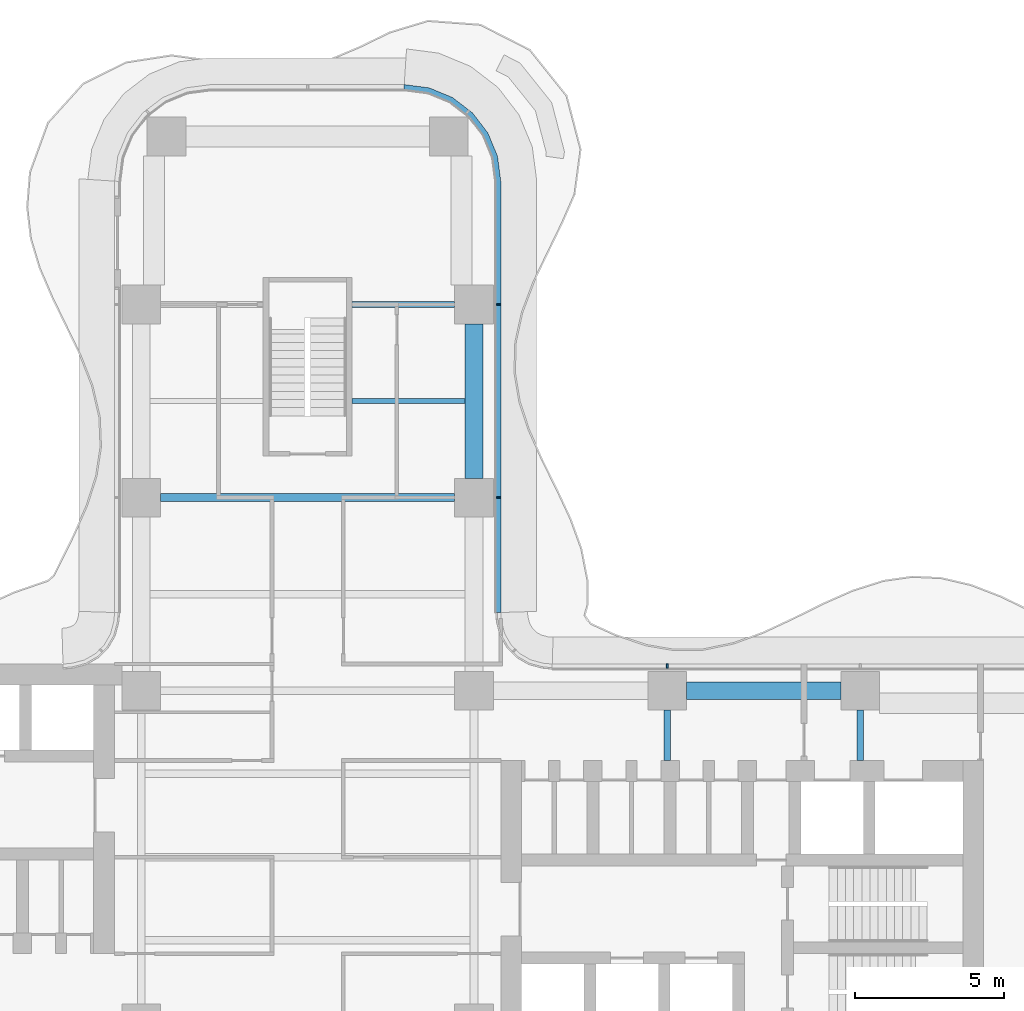
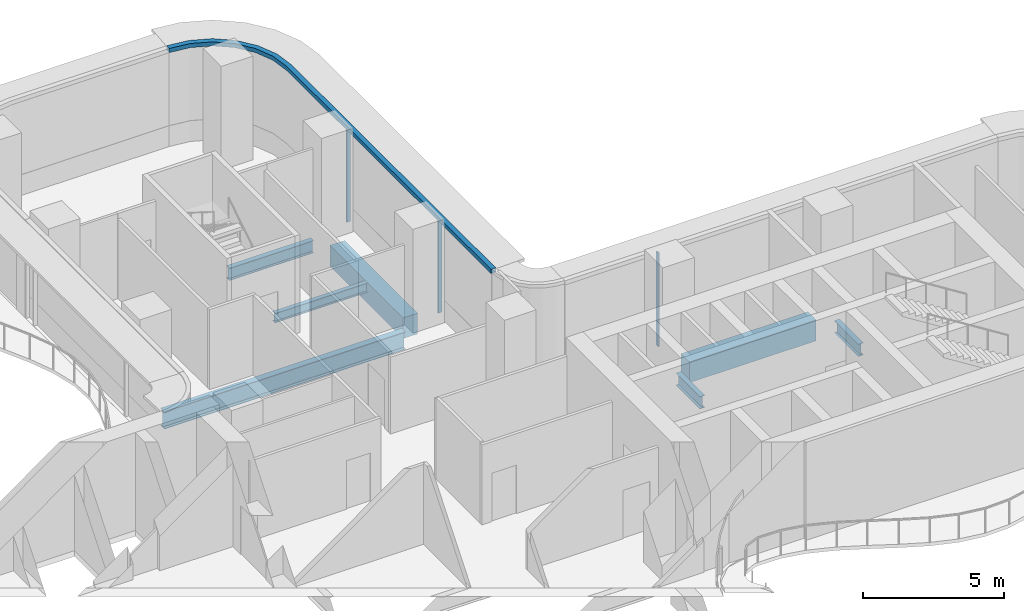
# One storey, part 10 of 23: 7 beams, 4 members, 2 elements without a shape of their own.
"""IFC4 building model written with IfcOpenShell, lengths in metres."""

import ifcopenshell
import ifcopenshell.guid

model = None  # the IFC model being written
_history = None  # IfcOwnerHistory: only IFC2X3 demands one
_inside = {}  # id of a spatial element -> (the spatial element, [elements in it])
_under = {}  # id of a project, library or spatial element -> (it, [spatial elements below it])
_declared = {}  # id of a project -> (the project, [libraries it declares])
_typed = {}  # id of a type object -> (the type object, [elements of that type])
_made_of = {}  # id of a material, layer set ... -> (it, [elements and type objects made of it])


def new_model(schema):
    """Start an empty IFC model of exactly this schema.

    Asked for "IFC4X3", IfcOpenShell would pick the latest addendum, in which some entities
    have other attributes; the version numbers below select the first issue.
    IFC2X3 requires an IfcOwnerHistory on every rooted entity: one is made here for all.
    """
    global model, _history
    if schema == "IFC4X3":
        model = ifcopenshell.file(schema_version=(4, 3, 0, 0))
    else:
        model = ifcopenshell.file(schema=schema)
    _inside.clear()
    _under.clear()
    _declared.clear()
    _typed.clear()
    _made_of.clear()
    _history = None
    if model.schema == "IFC2X3":
        org = make("IfcOrganization", Name="unknown")
        user = make(
            "IfcPersonAndOrganization",
            ThePerson=make("IfcPerson", FamilyName="unknown"),
            TheOrganization=org,
        )
        app = make(
            "IfcApplication",
            ApplicationDeveloper=org,
            Version="unknown",
            ApplicationFullName="unknown",
            ApplicationIdentifier="unknown",
        )
        _history = make(
            "IfcOwnerHistory",
            OwningUser=user,
            OwningApplication=app,
            ChangeAction="ADDED",
            CreationDate=0,
        )
    return model


def make(cls, **values):
    """One entity of the class cls with the attributes given. An attribute that is None is left unset."""
    return model.create_entity(
        cls, **{name: value for name, value in values.items() if value is not None}
    )


def rooted(cls, **values):
    """An entity with a GlobalId (a new one), such as an element, a storey or a relation."""
    return make(cls, GlobalId=ifcopenshell.guid.new(), OwnerHistory=_history, **values)


def si_unit(unit_type, name, prefix=None):
    """IfcSIUnit, for example si_unit("LENGTHUNIT", "METRE", prefix="MILLI")."""
    return make("IfcSIUnit", UnitType=unit_type, Prefix=prefix, Name=name)


def assignment(units):
    """IfcUnitAssignment: the units of a project."""
    return None if units is None else make("IfcUnitAssignment", Units=units)


def point(xyz):
    """IfcCartesianPoint."""
    return None if xyz is None else make("IfcCartesianPoint", Coordinates=xyz)


def direction(xyz):
    """IfcDirection."""
    return None if xyz is None else make("IfcDirection", DirectionRatios=xyz)


def frame(location, z_axis=None, x_axis=None):
    """IfcAxis2Placement3D, a coordinate frame: its origin and axes. An axis left out is left unset."""
    return make(
        "IfcAxis2Placement3D",
        Location=point(location),
        Axis=direction(z_axis),
        RefDirection=direction(x_axis),
    )


def frame_2d(location, x_axis=None):
    """IfcAxis2Placement2D, a coordinate frame in the plane: its origin and x axis."""
    return make(
        "IfcAxis2Placement2D", Location=point(location), RefDirection=direction(x_axis)
    )


def origin():
    """The frame at (0, 0, 0) with its axes left unset."""
    return frame((0.0, 0.0, 0.0))


def origin_2d():
    """The frame at (0, 0) in the plane with its x axis left unset."""
    return frame_2d((0.0, 0.0))


def place(relative_to, where):
    """IfcLocalPlacement: puts the frame where relative to a parent placement (None: the world)."""
    return make(
        "IfcLocalPlacement", PlacementRelTo=relative_to, RelativePlacement=where
    )


def context(
    kind, dimensions, precision=None, world=None, true_north=None, identifier=None
):
    """IfcGeometricRepresentationContext, for example the 3D "Model" context."""
    return make(
        "IfcGeometricRepresentationContext",
        ContextIdentifier=identifier,
        ContextType=kind,
        CoordinateSpaceDimension=dimensions,
        Precision=precision,
        WorldCoordinateSystem=world,
        TrueNorth=true_north,
    )


def subcontext(parent, identifier, kind, view, scale=None):
    """IfcGeometricRepresentationSubContext, for example "Body" below "Model"."""
    return make(
        "IfcGeometricRepresentationSubContext",
        ContextIdentifier=identifier,
        ContextType=kind,
        ParentContext=parent,
        TargetScale=scale,
        TargetView=view,
    )


def project(units=None, contexts=None):
    """IfcProject with its units and contexts."""
    return rooted(
        "IfcProject",
        Name="project",
        RepresentationContexts=contexts,
        UnitsInContext=assignment(units),
    )


def spatial(cls, under=None, at=None, **own):
    """A site, building, storey or space (cls), placed at a placement, below another one or the project."""
    s = rooted(cls, ObjectPlacement=at, **own)
    if under is not None:
        _under.setdefault(under.id(), (under, []))[1].append(s)
    return s


def polyline(points):
    """IfcPolyline through the points."""
    return make("IfcPolyline", Points=[point(p) for p in points])


def profile(cls, at=None, kind="AREA", **sizes):
    """A parametric profile (cls). Its sizes go by their IFC names, for example OverallWidth=200.0."""
    return make(cls, ProfileType=kind, Position=at, **sizes)


def rectangle(**sizes):
    """IfcRectangleProfileDef."""
    return profile("IfcRectangleProfileDef", **sizes)


def i_section(**sizes):
    """IfcIShapeProfileDef."""
    return profile("IfcIShapeProfileDef", **sizes)


def outline(outer, holes=None, kind="AREA"):
    """IfcArbitraryClosedProfileDef: a profile drawn as a closed curve; with holes, ...WithVoids."""
    if holes is None:
        return make("IfcArbitraryClosedProfileDef", ProfileType=kind, OuterCurve=outer)
    return make(
        "IfcArbitraryProfileDefWithVoids",
        ProfileType=kind,
        OuterCurve=outer,
        InnerCurves=holes,
    )


def extrude(swept, where, along, depth):
    """IfcExtrudedAreaSolid: the profile swept, set in the frame where, extruded along a direction by depth."""
    return make(
        "IfcExtrudedAreaSolid",
        SweptArea=swept,
        Position=where,
        ExtrudedDirection=direction(along),
        Depth=depth,
    )


def shape(context_of_items, identifier, shape_type, items):
    """IfcShapeRepresentation: the items that make up one representation, for example the "Body"."""
    return make(
        "IfcShapeRepresentation",
        ContextOfItems=context_of_items,
        RepresentationIdentifier=identifier,
        RepresentationType=shape_type,
        Items=items,
    )


def source(mapping_origin, context_of_items, identifier, shape_type, items):
    """IfcRepresentationMap: a shape defined once, which mapped items show again and again."""
    return make(
        "IfcRepresentationMap",
        MappingOrigin=mapping_origin,
        MappedRepresentation=shape(context_of_items, identifier, shape_type, items),
    )


def transform(
    local_origin,
    x_axis=None,
    y_axis=None,
    z_axis=None,
    scale=None,
    scale2=None,
    scale3=None,
    uniform=True,
):
    """IfcCartesianTransformationOperator3D, or its non-uniform kind. x_axis, y_axis, z_axis: its Axis1, 2, 3."""
    if uniform:
        return make(
            "IfcCartesianTransformationOperator3D",
            Axis1=direction(x_axis),
            Axis2=direction(y_axis),
            LocalOrigin=point(local_origin),
            Scale=scale,
            Axis3=direction(z_axis),
        )
    return make(
        "IfcCartesianTransformationOperator3DnonUniform",
        Axis1=direction(x_axis),
        Axis2=direction(y_axis),
        LocalOrigin=point(local_origin),
        Scale=scale,
        Axis3=direction(z_axis),
        Scale2=scale2,
        Scale3=scale3,
    )


def mapped(mapping_source, mapping_target):
    """IfcMappedItem: shows the shape of a source again, moved by a transform."""
    return make(
        "IfcMappedItem", MappingSource=mapping_source, MappingTarget=mapping_target
    )


def material(Name=None, Category=None):
    """IfcMaterial."""
    return make("IfcMaterial", Name=Name, Category=Category)


def layer(
    of_material, thickness, ventilated=None, Name=None, Category=None, Priority=None
):
    """IfcMaterialLayer: one layer of a wall or slab, of a material (None: an air gap)."""
    return make(
        "IfcMaterialLayer",
        Material=of_material,
        LayerThickness=thickness,
        IsVentilated=ventilated,
        Name=Name,
        Category=Category,
        Priority=Priority,
    )


def layer_set(layers, Name=None):
    """IfcMaterialLayerSet."""
    return make("IfcMaterialLayerSet", MaterialLayers=layers, LayerSetName=Name)


def material_profile(
    of_material, cross_section, Name=None, Category=None, Priority=None
):
    """IfcMaterialProfile: a cross section and its material."""
    return make(
        "IfcMaterialProfile",
        Name=Name,
        Material=of_material,
        Profile=cross_section,
        Priority=Priority,
        Category=Category,
    )


def profile_set(profiles, Name=None, composite=None):
    """IfcMaterialProfileSet."""
    return make(
        "IfcMaterialProfileSet",
        Name=Name,
        MaterialProfiles=profiles,
        CompositeProfile=composite,
    )


def made_of(thing, what):
    """Note that an element or type object is made of a material, layer set ...; save() writes the relation."""
    if what is not None:
        _made_of.setdefault(what.id(), (what, []))[1].append(thing)
    return thing


def type_object(cls, material=None, **own):
    """A type object (cls), such as IfcWallType, which elements share."""
    return made_of(rooted(cls, **own), material)


def element(
    cls,
    number,
    at=None,
    inside=None,
    cuts=None,
    type_object=None,
    material=None,
    context=None,
    identifier="Body",
    shape_type=None,
    held_by="IfcProductDefinitionShape",
    body=None,
    shapes=None,
    **own,
):
    """One element of the class cls, such as IfcWall. Its Tag is "e" and its number.

    at: its placement. inside: the storey or other place that contains it. cuts: it is an
    opening in that element (IfcRelVoidsElement). A single representation is given by context,
    identifier, shape_type and body (its items); several are given by shapes. held_by: the class
    of the entity that holds the representations. save() writes the other relations.
    """
    e = rooted(cls, Tag="e%d" % number, ObjectPlacement=at, **own)
    if body is not None:
        shapes = [shape(context, identifier, shape_type, body)]
    if shapes is not None:
        e.Representation = make(held_by, Representations=shapes)
    if inside is not None:
        _inside.setdefault(inside.id(), (inside, []))[1].append(e)
    if cuts is not None:
        rooted(
            "IfcRelVoidsElement", RelatingBuildingElement=cuts, RelatedOpeningElement=e
        )
    if type_object is not None:
        _typed.setdefault(type_object.id(), (type_object, []))[1].append(e)
    return made_of(e, material)


def aggregate(whole, parts):
    """IfcRelAggregates: a whole, such as a stair, and the parts it consists of."""
    return rooted("IfcRelAggregates", RelatingObject=whole, RelatedObjects=parts)


def save(model, path):
    """Write the relations noted so far, then the file.

    IfcRelAggregates (storeys below a building ...), IfcRelContainedInSpatialStructure (elements
    in a storey), IfcRelDefinesByType, IfcRelAssociatesMaterial and IfcRelDeclares: one each for
    every whole, place, type object, material and project.
    """
    for whole, parts in _under.values():
        aggregate(whole, parts)
    for where, things in _inside.values():
        rooted(
            "IfcRelContainedInSpatialStructure",
            RelatedElements=things,
            RelatingStructure=where,
        )
    for kind, things in _typed.values():
        rooted("IfcRelDefinesByType", RelatedObjects=things, RelatingType=kind)
    for what, things in _made_of.values():
        rooted("IfcRelAssociatesMaterial", RelatedObjects=things, RelatingMaterial=what)
    for by, libraries in _declared.values():
        rooted("IfcRelDeclares", RelatingContext=by, RelatedDefinitions=libraries)
    model.write(path)


model = new_model("IFC4")

# Units and contexts
model_context = context("Model", 3, precision=1e-05, world=origin(), true_north=direction((0.0, 1.0)))
body_context = subcontext(model_context, "Body", "Model", "MODEL_VIEW")
ifc_project = project(units=[si_unit("LENGTHUNIT", "METRE"), si_unit("AREAUNIT", "SQUARE_METRE"), si_unit("VOLUMEUNIT", "CUBIC_METRE"), si_unit("PLANEANGLEUNIT", "RADIAN"), si_unit("MASSUNIT", "GRAM", prefix="KILO")], contexts=[model_context])

# Site, building, storey
site_placement = place(None, origin())
site = spatial("IfcSite", under=ifc_project, at=site_placement, CompositionType="ELEMENT")
building_placement = place(site_placement, origin())
building = spatial("IfcBuilding", under=site, at=building_placement, Name="Trellis Farm Tower", CompositionType="ELEMENT")
storey_placement = place(building_placement, frame((0.0, 0.0, 120.0)))
storey = spatial("IfcBuildingStorey", under=building, at=storey_placement, Name="L25", CompositionType="ELEMENT", Elevation=120.0)

# Beams
ifc_material_1 = material(Name="Steel S355", Category="steel")
ifc_material_profile_1 = material_profile(ifc_material_1, i_section(OverallWidth=0.177978515625, OverallDepth=0.406494140625, WebThickness=0.0078125, FlangeThickness=0.0126953125, FilletRadius=0.01025390625, at=origin_2d()), Name="UB 406x178x60")
ifc_profile_set_1 = profile_set([ifc_material_profile_1], Name="Steel S355")
beam_type_1 = type_object("IfcBeamType", Name="UB 406x178x60 joist", PredefinedType="JOIST", material=ifc_profile_set_1)
shared_shape_1 = source(origin(), body_context, "Body", "SweptSolid", [
    extrude(i_section(OverallWidth=0.177978515625, OverallDepth=0.406494140625, WebThickness=0.0078125, FlangeThickness=0.0126953125, FilletRadius=0.01025390625, at=origin_2d()), origin(), (0.0, 0.0, 1.0), 3.800048828125),
])
beam_1_placement = place(storey_placement, frame((1.5, 15.35009765625, -0.453125), z_axis=(1.0, 0.0, 0.0), x_axis=(0.0, 1.0, 0.0)))
element("IfcBeam", 1, at=beam_1_placement, inside=storey, type_object=beam_type_1, Name="Floor beam", PredefinedType="JOIST", context=body_context, shape_type="MappedRepresentation", body=[
    mapped(shared_shape_1, transform((0.0, 0.0, 0.0))),
])
ifc_material_profile_2 = material_profile(ifc_material_1, i_section(OverallWidth=0.209228515625, OverallDepth=0.533203125, WebThickness=0.010009765625, FlangeThickness=0.015625, FilletRadius=0.0126953125, at=origin_2d()), Name="UB 533x210x92")
ifc_profile_set_2 = profile_set([ifc_material_profile_2], Name="Steel S355")
beam_type_2 = type_object("IfcBeamType", Name="UB 533x210x92", PredefinedType="BEAM", material=ifc_profile_set_2)
shared_shape_2 = source(origin(), body_context, "Body", "SweptSolid", [
    extrude(i_section(OverallWidth=0.209228515625, OverallDepth=0.533203125, WebThickness=0.010009765625, FlangeThickness=0.015625, FilletRadius=0.0126953125, at=origin_2d()), origin(), (0.0, 0.0, 1.0), 3.449951171875),
])
beam_2_placement = place(storey_placement, frame((1.5, 18.60009765625, -0.5166015625), z_axis=(1.0, 0.0, 0.0), x_axis=(0.0, 1.0, 0.0)))
element("IfcBeam", 2, at=beam_2_placement, inside=storey, type_object=beam_type_2, Name="Girder", PredefinedType="BEAM", context=body_context, shape_type="MappedRepresentation", body=[
    mapped(shared_shape_2, transform((0.0, 0.0, 0.0))),
])
ifc_material_profile_3 = material_profile(ifc_material_1, i_section(OverallWidth=0.2666015625, OverallDepth=0.76220703125, WebThickness=0.014404296875, FlangeThickness=0.021484375, FilletRadius=0.0166015625, at=origin_2d()), Name="UB 762x267x173")
ifc_profile_set_3 = profile_set([ifc_material_profile_3], Name="Steel S355")
beam_type_3 = type_object("IfcBeamType", Name="UB 762x267x173", PredefinedType="BEAM", material=ifc_profile_set_3)
shared_shape_3 = source(origin(), body_context, "Body", "SweptSolid", [
    extrude(i_section(OverallWidth=0.2666015625, OverallDepth=0.76220703125, WebThickness=0.014404296875, FlangeThickness=0.021484375, FilletRadius=0.0166015625, at=origin_2d()), origin(), (0.0, 0.0, 1.0), 9.89990234375),
])
beam_3_placement = place(storey_placement, frame((-4.949951171875, 12.10009765625, -0.631103515625), z_axis=(1.0, 0.0, 0.0), x_axis=(0.0, 1.0, 0.0)))
element("IfcBeam", 3, at=beam_3_placement, inside=storey, type_object=beam_type_3, Name="Girder", PredefinedType="BEAM", context=body_context, shape_type="MappedRepresentation", body=[
    mapped(shared_shape_3, transform((0.0, 0.0, 0.0))),
])
shared_shape_4 = source(origin(), body_context, "Body", "SweptSolid", [
    extrude(i_section(OverallWidth=0.209228515625, OverallDepth=0.533203125, WebThickness=0.010009765625, FlangeThickness=0.015625, FilletRadius=0.0126953125, at=origin_2d()), origin(), (0.0, 0.0, 1.0), 1.699951171875),
])
for number, where, z_axis, x_axis, name in (
    (4, (12.10009765625, 3.25, -0.5166015625), (0.0, 1.0, 0.0), (-1.0, 0.0, 0.0), "Girder"),
    (5, (18.60009765625, 3.25, -0.5166015625), (0.0, 1.0, 0.0), (-1.0, 0.0, 0.0), "Girder"),
):
    element("IfcBeam", number, at=place(storey_placement, frame(where, z_axis=z_axis, x_axis=x_axis)), inside=storey, type_object=beam_type_2, Name=name, PredefinedType="BEAM", context=body_context, shape_type="MappedRepresentation", body=[
        mapped(shared_shape_4, transform((0.0, 0.0, 0.0))),
    ])
ifc_material_2 = material(Name="Concrete C60/75", Category="concrete")
ifc_material_profile_4 = material_profile(ifc_material_2, rectangle(XDim=0.60009765625, YDim=0.89990234375, at=origin_2d()), Name="RC spandrel beam 600x900 C60/75")
ifc_profile_set_4 = profile_set([ifc_material_profile_4], Name="Concrete C60/75")
beam_type_4 = type_object("IfcBeamType", Name="RC spandrel beam 600x900 C60/75", PredefinedType="SPANDREL", material=ifc_profile_set_4)
shared_shape_5 = source(origin(), body_context, "Body", "SweptSolid", [
    extrude(rectangle(XDim=0.60009765625, YDim=0.89990234375, at=origin_2d()), origin(), (0.0, 0.0, 1.0), 5.199951171875),
])
for number, where, z_axis, x_axis, name in (
    (6, (12.75, 5.60009765625, -0.699951171875), (1.0, 0.0, 0.0), (0.0, 1.0, 0.0), "Girder"),
    (7, (5.60009765625, 12.75, -0.699951171875), (0.0, 1.0, 0.0), (-1.0, 0.0, 0.0), "Girder"),
):
    element("IfcBeam", number, at=place(storey_placement, frame(where, z_axis=z_axis, x_axis=x_axis)), inside=storey, type_object=beam_type_4, Name=name, PredefinedType="SPANDREL", context=body_context, shape_type="MappedRepresentation", body=[
        mapped(shared_shape_5, transform((0.0, 0.0, 0.0))),
    ])

# Curtain wall, member
ifc_material_3 = material(Name="Aluminium and glass curtain wall", Category="aluminium")
ifc_layer_1 = layer(ifc_material_3, 0.18994140625)
ifc_layer_set_1 = layer_set([ifc_layer_1], Name="RIBBON CURTAIN WALL CW1")
curtain_wall_type = type_object("IfcCurtainWallType", Name="RIBBON CURTAIN WALL CW1", PredefinedType="NOTDEFINED", material=ifc_layer_set_1)
placement = place(storey_placement, origin())
curtain_wall_1 = element("IfcCurtainWall", 8, at=placement, inside=storey, type_object=curtain_wall_type, Name="CW1 008", PredefinedType="NOTDEFINED")
ifc_material_4 = material(Name="Aluminium extrusion 6063-T6", Category="aluminium")
ifc_material_profile_5 = material_profile(ifc_material_4, rectangle(XDim=0.06005859375, YDim=0.14990234375, at=origin_2d()), Name="MULLION 60x150")
ifc_profile_set_5 = profile_set([ifc_material_profile_5], Name="Aluminium extrusion 6063-T6")
member_type_1 = type_object("IfcMemberType", Name="CW1 MULLION 60x150", PredefinedType="MULLION", material=ifc_profile_set_5)
shared_shape_6 = source(origin(), body_context, "Body", "SweptSolid", [
    extrude(rectangle(XDim=0.06005859375, YDim=0.14990234375, at=origin_2d()), origin(), (0.0, 0.0, 1.0), 4.070068359375),
])
member_1_placement = place(storey_placement, frame((12.10009765625, 6.425048828125, 0.0), z_axis=(0.0, 0.0, 1.0), x_axis=(-1.0, 0.0, 0.0)))
member_1 = element("IfcMember", 9, at=member_1_placement, type_object=member_type_1, Name="MU1 008-02", PredefinedType="MULLION", context=body_context, shape_type="MappedRepresentation", body=[
    mapped(shared_shape_6, transform((0.0, 0.0, 0.0))),
])
aggregate(curtain_wall_1, [member_1])

# Curtain wall, members
curtain_wall_2 = element("IfcCurtainWall", 10, at=placement, inside=storey, type_object=curtain_wall_type, Name="CW1 009", PredefinedType="NOTDEFINED")
member_2_placement = place(storey_placement, frame((6.425048828125, 12.10009765625, 0.0), z_axis=(0.0, 0.0, 1.0), x_axis=(0.0, 1.0, 0.0)))
member_2 = element("IfcMember", 11, at=member_2_placement, type_object=member_type_1, Name="MU1 009-01", PredefinedType="MULLION", context=body_context, shape_type="MappedRepresentation", body=[
    mapped(shared_shape_6, transform((0.0, 0.0, 0.0))),
])
member_3_placement = place(storey_placement, frame((6.425048828125, 18.60009765625, 0.0), z_axis=(0.0, 0.0, 1.0), x_axis=(0.0, 1.0, 0.0)))
member_3 = element("IfcMember", 12, at=member_3_placement, type_object=member_type_1, Name="MU1 009-02", PredefinedType="MULLION", context=body_context, shape_type="MappedRepresentation", body=[
    mapped(shared_shape_6, transform((0.0, 0.0, 0.0))),
])
ifc_layer_2 = layer(ifc_material_4, 0.199951171875)
ifc_layer_set_2 = layer_set([ifc_layer_2], Name="Aluminium extrusion 6063-T6")
member_type_2 = type_object("IfcMemberType", Name="CW1 TRANSOM 200x180", PredefinedType="USERDEFINED", material=ifc_layer_set_2)
shared_shape_7 = source(origin(), body_context, "Body", "SweptSolid", [
    extrude(outline(polyline([(6.5, 8.2314453125), (6.5, 22.75), (6.38916015625, 23.591064453125), (6.064697265625, 24.375), (5.548095703125, 25.048095703125), (4.875, 25.564697265625), (4.091064453125, 25.88916015625), (3.25, 26.0), (3.23681640625, 25.800048828125), (4.0390625, 25.6943359375), (4.774169921875, 25.389892578125), (5.405517578125, 24.905517578125), (5.889892578125, 24.274169921875), (6.1943359375, 23.5390625), (6.300048828125, 22.73681640625), (6.300048828125, 8.224853515625), (6.5, 8.2314453125)])), origin(), (0.0, 0.0, 1.0), 0.179931640625),
])
member_4_placement = place(storey_placement, frame((0.0, 0.0, 4.070068359375)))
member_4 = element("IfcMember", 13, at=member_4_placement, type_object=member_type_2, Name="TR1 009", ObjectType="TRANSOM", PredefinedType="USERDEFINED", context=body_context, shape_type="MappedRepresentation", body=[
    mapped(shared_shape_7, transform((0.0, 0.0, 0.0))),
])
aggregate(curtain_wall_2, [member_2, member_3, member_4])

save(model, "model.ifc")
